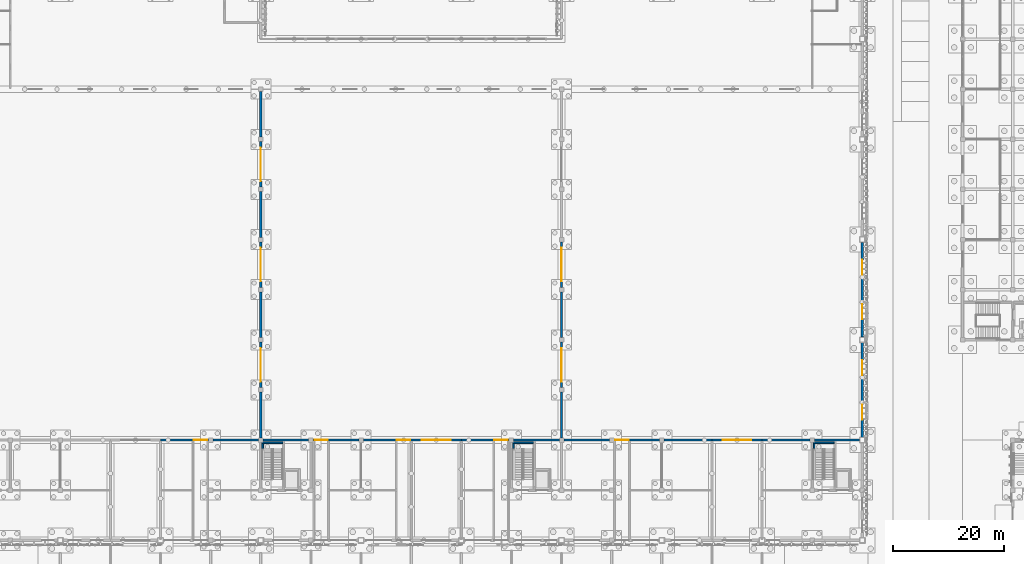
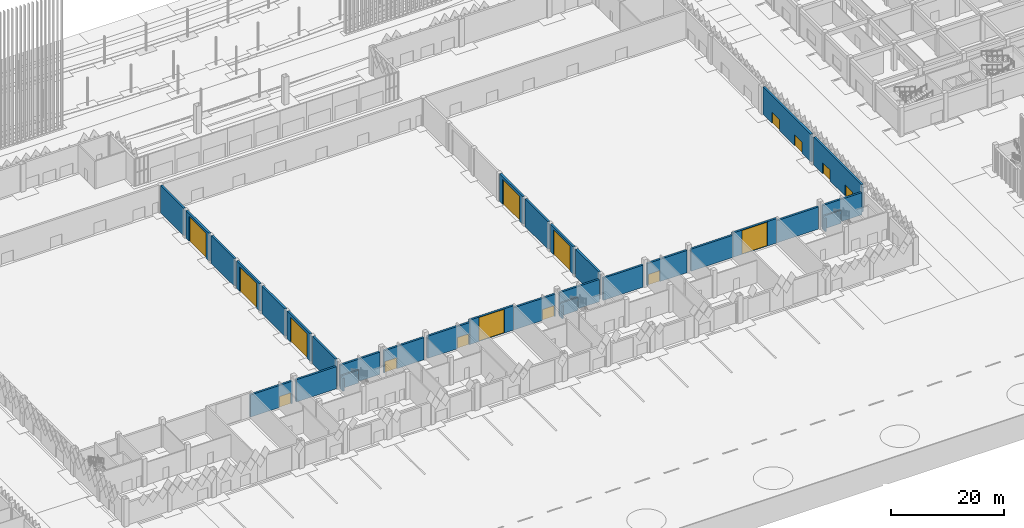
# One storey, part 89 of 198: 33 walls, 16 doors, 16 openings.
"""IFC4 building model written with IfcOpenShell, lengths in metres."""

from ifc_helpers import new_model, si_unit, direction, frame, frame_2d, origin, place, context, subcontext, project, spatial, rectangle, extrude, material, layer, layer_set, type_object, element, fill, save


model = new_model("IFC4")

# Units and contexts
model_context = context("Model", 3, precision=1e-05, world=origin(), true_north=direction((0.0, 1.0)))
body_context = subcontext(model_context, "Body", "Model", "MODEL_VIEW")
ifc_project = project(units=[si_unit("LENGTHUNIT", "METRE"), si_unit("AREAUNIT", "SQUARE_METRE"), si_unit("VOLUMEUNIT", "CUBIC_METRE"), si_unit("PLANEANGLEUNIT", "RADIAN"), si_unit("MASSUNIT", "GRAM", prefix="KILO")], contexts=[model_context])

# Site, building, storey
site_placement = place(None, origin())
site = spatial("IfcSite", under=ifc_project, at=site_placement, CompositionType="ELEMENT")
building_placement = place(site_placement, origin())
building = spatial("IfcBuilding", under=site, at=building_placement, Name="Opaline Strait Convention Centre", CompositionType="ELEMENT")
storey_placement = place(building_placement, origin())
storey = spatial("IfcBuildingStorey", under=building, at=storey_placement, Name="L00", CompositionType="ELEMENT", Elevation=0.0)

# Wall, openings, doors
ifc_material_1 = material(Name="Concrete C40", Category="concrete")
ifc_layer_1 = layer(ifc_material_1, 0.25)
ifc_material_2 = material(Name="Mineral wool insulation")
ifc_layer_2 = layer(ifc_material_2, 0.10009765625)
ifc_material_3 = material(Name="Gypsum board lining")
ifc_layer_3 = layer(ifc_material_3, 0.050048828125)
ifc_layer_set_1 = layer_set([ifc_layer_1, ifc_layer_2, ifc_layer_3], Name="Concrete C40, Mineral wool insulation, Gypsum board lining")
wall_type_1 = type_object("IfcWallType", Name="External wall RC 400 insulated", PredefinedType="SOLIDWALL", material=ifc_layer_set_1)
wall_1_placement = place(storey_placement, frame((261.0, 72.5, 0.0), z_axis=(0.0, 0.0, 1.0), x_axis=(0.0, 1.0, 0.0)))
wall_1 = element("IfcWall", 1, at=wall_1_placement, inside=storey, type_object=wall_type_1, Name="External wall E3", PredefinedType="SOLIDWALL", context=body_context, shape_type="SweptSolid", body=[
    extrude(rectangle(XDim=17.0, YDim=0.39990234375, at=frame_2d((8.5, 0.0))), origin(), (0.0, 0.0, 1.0), 6.0),
])
opening_1_placement = place(wall_1_placement, frame((3.14990234375, 0.0, 0.0)))
opening_1 = element("IfcOpeningElement", 2, at=opening_1_placement, cuts=wall_1, Name="Opening X0-042", PredefinedType="OPENING", context=body_context, shape_type="SweptSolid", body=[
    extrude(rectangle(XDim=2.699951171875, YDim=2.39990234375, at=frame_2d((1.35009765625, 1.199951171875))), frame((0.0, 0.2099609375, 0.0), z_axis=(0.0, -1.0, 0.0), x_axis=(1.0, 0.0, 0.0)), (0.0, 0.0, 1.0), 0.419921875),
])
opening_2_placement = place(wall_1_placement, frame((11.14990234375, 0.0, 0.0)))
opening_2 = element("IfcOpeningElement", 3, at=opening_2_placement, cuts=wall_1, Name="Opening X0-043", PredefinedType="OPENING", context=body_context, shape_type="SweptSolid", body=[
    extrude(rectangle(XDim=2.699951171875, YDim=2.39990234375, at=frame_2d((1.35009765625, 1.199951171875))), frame((0.0, 0.2099609375, 0.0), z_axis=(0.0, -1.0, 0.0), x_axis=(1.0, 0.0, 0.0)), (0.0, 0.0, 1.0), 0.419921875),
])
ifc_material_4 = material(Name="Steel Q235B", Category="steel")
door_type_1 = type_object("IfcDoorType", Name="Exit door pair 2700 x 2400", OperationType="DOUBLE_DOOR_SINGLE_SWING", PredefinedType="DOOR", material=ifc_material_4)
door_1_placement = place(opening_1_placement, frame((2.699951171875, 0.0, 0.0), z_axis=(0.0, 0.0, 1.0), x_axis=(-1.0, 0.0, 0.0)))
door_1 = element("IfcDoor", 4, at=door_1_placement, inside=storey, type_object=door_type_1, Name="Hall exit door E1", ObjectType="XD2", OperationType="DOUBLE_DOOR_SINGLE_SWING", OverallHeight=2.39990234375, OverallWidth=2.699951171875, PredefinedType="DOOR", context=body_context, shape_type="SweptSolid", body=[
    extrude(rectangle(XDim=2.699951171875, YDim=2.39990234375, at=frame_2d((1.35009765625, 1.199951171875))), frame((0.0, 0.02490234375, 0.0), z_axis=(0.0, -1.0, 0.0), x_axis=(1.0, 0.0, 0.0)), (0.0, 0.0, 1.0), 0.050048828125),
])
fill(opening_1, door_1)
door_2_placement = place(opening_2_placement, frame((2.699951171875, 0.0, 0.0), z_axis=(0.0, 0.0, 1.0), x_axis=(-1.0, 0.0, 0.0)))
door_2 = element("IfcDoor", 5, at=door_2_placement, inside=storey, type_object=door_type_1, Name="Hall exit door E2", ObjectType="XD2", OperationType="DOUBLE_DOOR_SINGLE_SWING", OverallHeight=2.39990234375, OverallWidth=2.699951171875, PredefinedType="DOOR", context=body_context, shape_type="SweptSolid", body=[
    extrude(rectangle(XDim=2.699951171875, YDim=2.39990234375, at=frame_2d((1.35009765625, 1.199951171875))), frame((0.0, 0.02490234375, 0.0), z_axis=(0.0, -1.0, 0.0), x_axis=(1.0, 0.0, 0.0)), (0.0, 0.0, 1.0), 0.050048828125),
])
fill(opening_2, door_2)

wall_2_placement = place(storey_placement, frame((261.0, 90.5, 0.0), z_axis=(0.0, 0.0, 1.0), x_axis=(0.0, 1.0, 0.0)))
wall_2 = element("IfcWall", 6, at=wall_2_placement, inside=storey, type_object=wall_type_1, Name="External wall E4", PredefinedType="SOLIDWALL", context=body_context, shape_type="SweptSolid", body=[
    extrude(rectangle(XDim=17.0, YDim=0.39990234375, at=frame_2d((8.5, 0.0))), origin(), (0.0, 0.0, 1.0), 6.0),
])
opening_3_placement = place(wall_2_placement, frame((3.14990234375, 0.0, 0.0)))
opening_3 = element("IfcOpeningElement", 7, at=opening_3_placement, cuts=wall_2, Name="Opening X0-044", PredefinedType="OPENING", context=body_context, shape_type="SweptSolid", body=[
    extrude(rectangle(XDim=2.699951171875, YDim=2.39990234375, at=frame_2d((1.35009765625, 1.199951171875))), frame((0.0, 0.2099609375, 0.0), z_axis=(0.0, -1.0, 0.0), x_axis=(1.0, 0.0, 0.0)), (0.0, 0.0, 1.0), 0.419921875),
])
opening_4_placement = place(wall_2_placement, frame((11.14990234375, 0.0, 0.0)))
opening_4 = element("IfcOpeningElement", 8, at=opening_4_placement, cuts=wall_2, Name="Opening X0-045", PredefinedType="OPENING", context=body_context, shape_type="SweptSolid", body=[
    extrude(rectangle(XDim=2.699951171875, YDim=2.39990234375, at=frame_2d((1.35009765625, 1.199951171875))), frame((0.0, 0.2099609375, 0.0), z_axis=(0.0, -1.0, 0.0), x_axis=(1.0, 0.0, 0.0)), (0.0, 0.0, 1.0), 0.419921875),
])
door_3_placement = place(opening_3_placement, frame((2.699951171875, 0.0, 0.0), z_axis=(0.0, 0.0, 1.0), x_axis=(-1.0, 0.0, 0.0)))
door_3 = element("IfcDoor", 9, at=door_3_placement, inside=storey, type_object=door_type_1, Name="Hall exit door E3", ObjectType="XD2", OperationType="DOUBLE_DOOR_SINGLE_SWING", OverallHeight=2.39990234375, OverallWidth=2.699951171875, PredefinedType="DOOR", context=body_context, shape_type="SweptSolid", body=[
    extrude(rectangle(XDim=2.699951171875, YDim=2.39990234375, at=frame_2d((1.35009765625, 1.199951171875))), frame((0.0, 0.02490234375, 0.0), z_axis=(0.0, -1.0, 0.0), x_axis=(1.0, 0.0, 0.0)), (0.0, 0.0, 1.0), 0.050048828125),
])
fill(opening_3, door_3)
door_4_placement = place(opening_4_placement, frame((2.699951171875, 0.0, 0.0), z_axis=(0.0, 0.0, 1.0), x_axis=(-1.0, 0.0, 0.0)))
door_4 = element("IfcDoor", 10, at=door_4_placement, inside=storey, type_object=door_type_1, Name="Hall exit door E4", ObjectType="XD2", OperationType="DOUBLE_DOOR_SINGLE_SWING", OverallHeight=2.39990234375, OverallWidth=2.699951171875, PredefinedType="DOOR", context=body_context, shape_type="SweptSolid", body=[
    extrude(rectangle(XDim=2.699951171875, YDim=2.39990234375, at=frame_2d((1.35009765625, 1.199951171875))), frame((0.0, 0.02490234375, 0.0), z_axis=(0.0, -1.0, 0.0), x_axis=(1.0, 0.0, 0.0)), (0.0, 0.0, 1.0), 0.050048828125),
])
fill(opening_4, door_4)

# Wall
ifc_layer_4 = layer(ifc_material_1, 0.39990234375)
ifc_layer_set_2 = layer_set([ifc_layer_4], Name="Concrete C40")
wall_type_2 = type_object("IfcWallType", Name="Fire wall RC 400 3 h", PredefinedType="SOLIDWALL", material=ifc_layer_set_2)
wall_3_placement = place(storey_placement, frame((153.0, 72.39990234375, 0.0), z_axis=(0.0, 0.0, 1.0), x_axis=(0.0, 1.0, 0.0)))
element("IfcWall", 11, at=wall_3_placement, inside=storey, type_object=wall_type_2, Name="Fire wall 153 panel 1", PredefinedType="SOLIDWALL", context=body_context, shape_type="SweptSolid", body=[
    extrude(rectangle(XDim=8.2001953125, YDim=0.39990234375, at=frame_2d((4.10009765625, 0.0))), origin(), (0.0, 0.0, 1.0), 6.0),
])

# Wall, opening, door
wall_4_placement = place(storey_placement, frame((153.0, 81.39990234375, 0.0), z_axis=(0.0, 0.0, 1.0), x_axis=(0.0, 1.0, 0.0)))
wall_4 = element("IfcWall", 12, at=wall_4_placement, inside=storey, type_object=wall_type_2, Name="Fire wall 153 panel 2", PredefinedType="SOLIDWALL", context=body_context, shape_type="SweptSolid", body=[
    extrude(rectangle(XDim=8.2001953125, YDim=0.39990234375, at=frame_2d((4.10009765625, 0.0))), origin(), (0.0, 0.0, 1.0), 6.0),
])
opening_5_placement = place(wall_4_placement, frame((1.10009765625, 0.0, 0.0)))
opening_5 = element("IfcOpeningElement", 13, at=opening_5_placement, cuts=wall_4, Name="Opening XFS1", PredefinedType="OPENING", context=body_context, shape_type="SweptSolid", body=[
    extrude(rectangle(XDim=6.0, YDim=5.39990234375, at=frame_2d((3.0, 2.699951171875))), frame((0.0, 0.2099609375, 0.0), z_axis=(0.0, -1.0, 0.0), x_axis=(1.0, 0.0, 0.0)), (0.0, 0.0, 1.0), 0.419921875),
])
ifc_material_5 = material(Name="Galvanised steel Q235B", Category="steel")
door_type_2 = type_object("IfcDoorType", Name="Fire shutter 6000 x 5400 EI 180", OperationType="ROLLINGUP", PredefinedType="DOOR", material=ifc_material_5)
door_5_placement = place(opening_5_placement, origin())
door_5 = element("IfcDoor", 14, at=door_5_placement, inside=storey, type_object=door_type_2, Name="Fire shutter 153 line 1", ObjectType="XFS", OperationType="ROLLINGUP", OverallHeight=5.39990234375, OverallWidth=6.0, PredefinedType="DOOR", context=body_context, shape_type="SweptSolid", body=[
    extrude(rectangle(XDim=6.0, YDim=5.39990234375, at=frame_2d((3.0, 2.699951171875))), frame((0.0, 0.02490234375, 0.0), z_axis=(0.0, -1.0, 0.0), x_axis=(1.0, 0.0, 0.0)), (0.0, 0.0, 1.0), 0.050048828125),
])
fill(opening_5, door_5)

# Wall
wall_5_placement = place(storey_placement, frame((153.0, 90.39990234375, 0.0), z_axis=(0.0, 0.0, 1.0), x_axis=(0.0, 1.0, 0.0)))
element("IfcWall", 15, at=wall_5_placement, inside=storey, type_object=wall_type_2, Name="Fire wall 153 panel 3", PredefinedType="SOLIDWALL", context=body_context, shape_type="SweptSolid", body=[
    extrude(rectangle(XDim=8.2001953125, YDim=0.39990234375, at=frame_2d((4.10009765625, 0.0))), origin(), (0.0, 0.0, 1.0), 6.0),
])

# Wall, opening, door
wall_6_placement = place(storey_placement, frame((153.0, 99.39990234375, 0.0), z_axis=(0.0, 0.0, 1.0), x_axis=(0.0, 1.0, 0.0)))
wall_6 = element("IfcWall", 16, at=wall_6_placement, inside=storey, type_object=wall_type_2, Name="Fire wall 153 panel 4", PredefinedType="SOLIDWALL", context=body_context, shape_type="SweptSolid", body=[
    extrude(rectangle(XDim=8.2001953125, YDim=0.39990234375, at=frame_2d((4.10009765625, 0.0))), origin(), (0.0, 0.0, 1.0), 6.0),
])
opening_6_placement = place(wall_6_placement, frame((1.10009765625, 0.0, 0.0)))
opening_6 = element("IfcOpeningElement", 17, at=opening_6_placement, cuts=wall_6, Name="Opening XFS2", PredefinedType="OPENING", context=body_context, shape_type="SweptSolid", body=[
    extrude(rectangle(XDim=6.0, YDim=5.39990234375, at=frame_2d((3.0, 2.699951171875))), frame((0.0, 0.2099609375, 0.0), z_axis=(0.0, -1.0, 0.0), x_axis=(1.0, 0.0, 0.0)), (0.0, 0.0, 1.0), 0.419921875),
])
door_6_placement = place(opening_6_placement, origin())
door_6 = element("IfcDoor", 18, at=door_6_placement, inside=storey, type_object=door_type_2, Name="Fire shutter 153 line 2", ObjectType="XFS", OperationType="ROLLINGUP", OverallHeight=5.39990234375, OverallWidth=6.0, PredefinedType="DOOR", context=body_context, shape_type="SweptSolid", body=[
    extrude(rectangle(XDim=6.0, YDim=5.39990234375, at=frame_2d((3.0, 2.699951171875))), frame((0.0, 0.02490234375, 0.0), z_axis=(0.0, -1.0, 0.0), x_axis=(1.0, 0.0, 0.0)), (0.0, 0.0, 1.0), 0.050048828125),
])
fill(opening_6, door_6)

# Wall
wall_7_placement = place(storey_placement, frame((153.0, 108.39990234375, 0.0), z_axis=(0.0, 0.0, 1.0), x_axis=(0.0, 1.0, 0.0)))
element("IfcWall", 19, at=wall_7_placement, inside=storey, type_object=wall_type_2, Name="Fire wall 153 panel 5", PredefinedType="SOLIDWALL", context=body_context, shape_type="SweptSolid", body=[
    extrude(rectangle(XDim=8.2001953125, YDim=0.39990234375, at=frame_2d((4.10009765625, 0.0))), origin(), (0.0, 0.0, 1.0), 6.0),
])

# Wall, opening, door
wall_8_placement = place(storey_placement, frame((153.0, 117.39990234375, 0.0), z_axis=(0.0, 0.0, 1.0), x_axis=(0.0, 1.0, 0.0)))
wall_8 = element("IfcWall", 20, at=wall_8_placement, inside=storey, type_object=wall_type_2, Name="Fire wall 153 panel 6", PredefinedType="SOLIDWALL", context=body_context, shape_type="SweptSolid", body=[
    extrude(rectangle(XDim=8.2001953125, YDim=0.39990234375, at=frame_2d((4.10009765625, 0.0))), origin(), (0.0, 0.0, 1.0), 6.0),
])
opening_7_placement = place(wall_8_placement, frame((1.10009765625, 0.0, 0.0)))
opening_7 = element("IfcOpeningElement", 21, at=opening_7_placement, cuts=wall_8, Name="Opening XFS3", PredefinedType="OPENING", context=body_context, shape_type="SweptSolid", body=[
    extrude(rectangle(XDim=6.0, YDim=5.39990234375, at=frame_2d((3.0, 2.699951171875))), frame((0.0, 0.2099609375, 0.0), z_axis=(0.0, -1.0, 0.0), x_axis=(1.0, 0.0, 0.0)), (0.0, 0.0, 1.0), 0.419921875),
])
door_7_placement = place(opening_7_placement, origin())
door_7 = element("IfcDoor", 22, at=door_7_placement, inside=storey, type_object=door_type_2, Name="Fire shutter 153 line 3", ObjectType="XFS", OperationType="ROLLINGUP", OverallHeight=5.39990234375, OverallWidth=6.0, PredefinedType="DOOR", context=body_context, shape_type="SweptSolid", body=[
    extrude(rectangle(XDim=6.0, YDim=5.39990234375, at=frame_2d((3.0, 2.699951171875))), frame((0.0, 0.02490234375, 0.0), z_axis=(0.0, -1.0, 0.0), x_axis=(1.0, 0.0, 0.0)), (0.0, 0.0, 1.0), 0.050048828125),
])
fill(opening_7, door_7)

# Walls
for number, where, z_axis, x_axis, name in (
    (23, (153.0, 126.39990234375, 0.0), (0.0, 0.0, 1.0), (0.0, 1.0, 0.0), "Fire wall 153 panel 7"),
    (24, (207.0, 72.39990234375, 0.0), (0.0, 0.0, 1.0), (0.0, 1.0, 0.0), "Fire wall 207 panel 1"),
):
    element("IfcWall", number, at=place(storey_placement, frame(where, z_axis=z_axis, x_axis=x_axis)), inside=storey, type_object=wall_type_2, Name=name, PredefinedType="SOLIDWALL", context=body_context, shape_type="SweptSolid", body=[
        extrude(rectangle(XDim=8.2001953125, YDim=0.39990234375, at=frame_2d((4.10009765625, 0.0))), origin(), (0.0, 0.0, 1.0), 6.0),
    ])

# Wall, opening, door
wall_9_placement = place(storey_placement, frame((207.0, 81.39990234375, 0.0), z_axis=(0.0, 0.0, 1.0), x_axis=(0.0, 1.0, 0.0)))
wall_9 = element("IfcWall", 25, at=wall_9_placement, inside=storey, type_object=wall_type_2, Name="Fire wall 207 panel 2", PredefinedType="SOLIDWALL", context=body_context, shape_type="SweptSolid", body=[
    extrude(rectangle(XDim=8.2001953125, YDim=0.39990234375, at=frame_2d((4.10009765625, 0.0))), origin(), (0.0, 0.0, 1.0), 6.0),
])
opening_8_placement = place(wall_9_placement, frame((1.10009765625, 0.0, 0.0)))
opening_8 = element("IfcOpeningElement", 26, at=opening_8_placement, cuts=wall_9, Name="Opening XFS4", PredefinedType="OPENING", context=body_context, shape_type="SweptSolid", body=[
    extrude(rectangle(XDim=6.0, YDim=5.39990234375, at=frame_2d((3.0, 2.699951171875))), frame((0.0, 0.2099609375, 0.0), z_axis=(0.0, -1.0, 0.0), x_axis=(1.0, 0.0, 0.0)), (0.0, 0.0, 1.0), 0.419921875),
])
door_8_placement = place(opening_8_placement, origin())
door_8 = element("IfcDoor", 27, at=door_8_placement, inside=storey, type_object=door_type_2, Name="Fire shutter 207 line 1", ObjectType="XFS", OperationType="ROLLINGUP", OverallHeight=5.39990234375, OverallWidth=6.0, PredefinedType="DOOR", context=body_context, shape_type="SweptSolid", body=[
    extrude(rectangle(XDim=6.0, YDim=5.39990234375, at=frame_2d((3.0, 2.699951171875))), frame((0.0, 0.02490234375, 0.0), z_axis=(0.0, -1.0, 0.0), x_axis=(1.0, 0.0, 0.0)), (0.0, 0.0, 1.0), 0.050048828125),
])
fill(opening_8, door_8)

# Wall
wall_10_placement = place(storey_placement, frame((207.0, 90.39990234375, 0.0), z_axis=(0.0, 0.0, 1.0), x_axis=(0.0, 1.0, 0.0)))
element("IfcWall", 28, at=wall_10_placement, inside=storey, type_object=wall_type_2, Name="Fire wall 207 panel 3", PredefinedType="SOLIDWALL", context=body_context, shape_type="SweptSolid", body=[
    extrude(rectangle(XDim=8.2001953125, YDim=0.39990234375, at=frame_2d((4.10009765625, 0.0))), origin(), (0.0, 0.0, 1.0), 6.0),
])

# Wall, opening, door
wall_11_placement = place(storey_placement, frame((207.0, 99.39990234375, 0.0), z_axis=(0.0, 0.0, 1.0), x_axis=(0.0, 1.0, 0.0)))
wall_11 = element("IfcWall", 29, at=wall_11_placement, inside=storey, type_object=wall_type_2, Name="Fire wall 207 panel 4", PredefinedType="SOLIDWALL", context=body_context, shape_type="SweptSolid", body=[
    extrude(rectangle(XDim=8.2001953125, YDim=0.39990234375, at=frame_2d((4.10009765625, 0.0))), origin(), (0.0, 0.0, 1.0), 6.0),
])
opening_9_placement = place(wall_11_placement, frame((1.10009765625, 0.0, 0.0)))
opening_9 = element("IfcOpeningElement", 30, at=opening_9_placement, cuts=wall_11, Name="Opening XFS5", PredefinedType="OPENING", context=body_context, shape_type="SweptSolid", body=[
    extrude(rectangle(XDim=6.0, YDim=5.39990234375, at=frame_2d((3.0, 2.699951171875))), frame((0.0, 0.2099609375, 0.0), z_axis=(0.0, -1.0, 0.0), x_axis=(1.0, 0.0, 0.0)), (0.0, 0.0, 1.0), 0.419921875),
])
door_9_placement = place(opening_9_placement, origin())
door_9 = element("IfcDoor", 31, at=door_9_placement, inside=storey, type_object=door_type_2, Name="Fire shutter 207 line 2", ObjectType="XFS", OperationType="ROLLINGUP", OverallHeight=5.39990234375, OverallWidth=6.0, PredefinedType="DOOR", context=body_context, shape_type="SweptSolid", body=[
    extrude(rectangle(XDim=6.0, YDim=5.39990234375, at=frame_2d((3.0, 2.699951171875))), frame((0.0, 0.02490234375, 0.0), z_axis=(0.0, -1.0, 0.0), x_axis=(1.0, 0.0, 0.0)), (0.0, 0.0, 1.0), 0.050048828125),
])
fill(opening_9, door_9)

ifc_layer_5 = layer(ifc_material_1, 0.300048828125)
ifc_material_6 = material(Name="Cement plaster")
ifc_layer_6 = layer(ifc_material_6, 0.050048828125)
ifc_layer_7 = layer(ifc_material_6, 0.050048828125)
ifc_layer_set_3 = layer_set([ifc_layer_5, ifc_layer_6, ifc_layer_7], Name="Concrete C40, Cement plaster, Cement plaster")
wall_type_3 = type_object("IfcWallType", Name="Hall compartment wall 400", PredefinedType="SOLIDWALL", material=ifc_layer_set_3)
wall_12_placement = place(storey_placement, frame((135.0, 72.0, 0.0), z_axis=(0.0, 0.0, 1.0), x_axis=(1.0, 0.0, 0.0)))
wall_12 = element("IfcWall", 32, at=wall_12_placement, inside=storey, type_object=wall_type_3, Name="Hall south wall", PredefinedType="SOLIDWALL", context=body_context, shape_type="SweptSolid", body=[
    extrude(rectangle(XDim=8.60009765625, YDim=0.39990234375, at=frame_2d((4.300048828125, 0.0))), origin(), (0.0, 0.0, 1.0), 4.820068359375),
])
opening_10_placement = place(wall_12_placement, frame((5.949951171875, 0.0, 0.0)))
opening_10 = element("IfcOpeningElement", 33, at=opening_10_placement, cuts=wall_12, Name="Opening X0-082", PredefinedType="OPENING", context=body_context, shape_type="SweptSolid", body=[
    extrude(rectangle(XDim=2.39990234375, YDim=2.39990234375, at=frame_2d((1.199951171875, 1.199951171875))), frame((0.0, 0.2099609375, 0.0), z_axis=(0.0, -1.0, 0.0), x_axis=(1.0, 0.0, 0.0)), (0.0, 0.0, 1.0), 0.419921875),
])
door_type_3 = type_object("IfcDoorType", Name="Fire door pair FD90 2400 x 2400", OperationType="DOUBLE_DOOR_SINGLE_SWING", PredefinedType="DOOR", material=ifc_material_4)
door_10_placement = place(opening_10_placement, frame((2.39990234375, 0.0, 0.0), z_axis=(0.0, 0.0, 1.0), x_axis=(-1.0, 0.0, 0.0)))
door_10 = element("IfcDoor", 34, at=door_10_placement, inside=storey, type_object=door_type_3, Name="Hall exit passage door 1", ObjectType="XD3", OperationType="DOUBLE_DOOR_SINGLE_SWING", OverallHeight=2.39990234375, OverallWidth=2.39990234375, PredefinedType="DOOR", context=body_context, shape_type="SweptSolid", body=[
    extrude(rectangle(XDim=2.39990234375, YDim=2.39990234375, at=frame_2d((1.199951171875, 1.199951171875))), frame((0.0, 0.02490234375, 0.0), z_axis=(0.0, -1.0, 0.0), x_axis=(1.0, 0.0, 0.0)), (0.0, 0.0, 1.0), 0.050048828125),
])
fill(opening_10, door_10)

# Walls
for number, where, z_axis, x_axis, name in (
    (35, (144.39990234375, 72.0, 0.0), (0.0, 0.0, 1.0), (1.0, 0.0, 0.0), "Hall south wall"),
    (36, (153.39990234375, 72.0, 0.0), (0.0, 0.0, 1.0), (1.0, 0.0, 0.0), "Hall south wall"),
):
    element("IfcWall", number, at=place(storey_placement, frame(where, z_axis=z_axis, x_axis=x_axis)), inside=storey, type_object=wall_type_3, Name=name, PredefinedType="SOLIDWALL", context=body_context, shape_type="SweptSolid", body=[
        extrude(rectangle(XDim=8.2001953125, YDim=0.39990234375, at=frame_2d((4.10009765625, 0.0))), origin(), (0.0, 0.0, 1.0), 4.820068359375),
    ])

# Wall, opening, door
wall_13_placement = place(storey_placement, frame((162.39990234375, 72.0, 0.0), z_axis=(0.0, 0.0, 1.0), x_axis=(1.0, 0.0, 0.0)))
wall_13 = element("IfcWall", 37, at=wall_13_placement, inside=storey, type_object=wall_type_3, Name="Hall south wall", PredefinedType="SOLIDWALL", context=body_context, shape_type="SweptSolid", body=[
    extrude(rectangle(XDim=8.2001953125, YDim=0.39990234375, at=frame_2d((4.10009765625, 0.0))), origin(), (0.0, 0.0, 1.0), 4.820068359375),
])
opening_11_placement = place(wall_13_placement, frame((0.25, 0.0, 0.0)))
opening_11 = element("IfcOpeningElement", 38, at=opening_11_placement, cuts=wall_13, Name="Opening X0-083", PredefinedType="OPENING", context=body_context, shape_type="SweptSolid", body=[
    extrude(rectangle(XDim=2.39990234375, YDim=2.39990234375, at=frame_2d((1.199951171875, 1.199951171875))), frame((0.0, 0.2099609375, 0.0), z_axis=(0.0, -1.0, 0.0), x_axis=(1.0, 0.0, 0.0)), (0.0, 0.0, 1.0), 0.419921875),
])
door_11_placement = place(opening_11_placement, frame((2.39990234375, 0.0, 0.0), z_axis=(0.0, 0.0, 1.0), x_axis=(-1.0, 0.0, 0.0)))
door_11 = element("IfcDoor", 39, at=door_11_placement, inside=storey, type_object=door_type_3, Name="Hall exit passage door 2", ObjectType="XD3", OperationType="DOUBLE_DOOR_SINGLE_SWING", OverallHeight=2.39990234375, OverallWidth=2.39990234375, PredefinedType="DOOR", context=body_context, shape_type="SweptSolid", body=[
    extrude(rectangle(XDim=2.39990234375, YDim=2.39990234375, at=frame_2d((1.199951171875, 1.199951171875))), frame((0.0, 0.02490234375, 0.0), z_axis=(0.0, -1.0, 0.0), x_axis=(1.0, 0.0, 0.0)), (0.0, 0.0, 1.0), 0.050048828125),
])
fill(opening_11, door_11)

wall_14_placement = place(storey_placement, frame((171.39990234375, 72.0, 0.0), z_axis=(0.0, 0.0, 1.0), x_axis=(1.0, 0.0, 0.0)))
wall_14 = element("IfcWall", 40, at=wall_14_placement, inside=storey, type_object=wall_type_3, Name="Hall south wall", PredefinedType="SOLIDWALL", context=body_context, shape_type="SweptSolid", body=[
    extrude(rectangle(XDim=8.60009765625, YDim=0.39990234375, at=frame_2d((4.300048828125, 0.0))), origin(), (0.0, 0.0, 1.0), 4.820068359375),
])
opening_12_placement = place(wall_14_placement, frame((6.050048828125, 0.0, 0.0)))
opening_12 = element("IfcOpeningElement", 41, at=opening_12_placement, cuts=wall_14, Name="Opening X0-084", PredefinedType="OPENING", context=body_context, shape_type="SweptSolid", body=[
    extrude(rectangle(XDim=2.39990234375, YDim=2.39990234375, at=frame_2d((1.199951171875, 1.199951171875))), frame((0.0, 0.2099609375, 0.0), z_axis=(0.0, -1.0, 0.0), x_axis=(1.0, 0.0, 0.0)), (0.0, 0.0, 1.0), 0.419921875),
])
door_12_placement = place(opening_12_placement, frame((2.39990234375, 0.0, 0.0), z_axis=(0.0, 0.0, 1.0), x_axis=(-1.0, 0.0, 0.0)))
door_12 = element("IfcDoor", 42, at=door_12_placement, inside=storey, type_object=door_type_3, Name="Hall exit passage door 3", ObjectType="XD3", OperationType="DOUBLE_DOOR_SINGLE_SWING", OverallHeight=2.39990234375, OverallWidth=2.39990234375, PredefinedType="DOOR", context=body_context, shape_type="SweptSolid", body=[
    extrude(rectangle(XDim=2.39990234375, YDim=2.39990234375, at=frame_2d((1.199951171875, 1.199951171875))), frame((0.0, 0.02490234375, 0.0), z_axis=(0.0, -1.0, 0.0), x_axis=(1.0, 0.0, 0.0)), (0.0, 0.0, 1.0), 0.050048828125),
])
fill(opening_12, door_12)

wall_15_placement = place(storey_placement, frame((180.0, 72.0, 0.0), z_axis=(0.0, 0.0, 1.0), x_axis=(1.0, 0.0, 0.0)))
wall_15 = element("IfcWall", 43, at=wall_15_placement, inside=storey, type_object=wall_type_3, Name="Hall south wall", PredefinedType="SOLIDWALL", context=body_context, shape_type="SweptSolid", body=[
    extrude(rectangle(XDim=9.0, YDim=0.39990234375, at=frame_2d((4.5, 0.0))), origin(), (0.0, 0.0, 1.0), 5.300048828125),
])
opening_13_placement = place(wall_15_placement, frame((1.89990234375, 0.0, 0.0)))
opening_13 = element("IfcOpeningElement", 44, at=opening_13_placement, cuts=wall_15, Name="Opening X0-088", PredefinedType="OPENING", context=body_context, shape_type="SweptSolid", body=[
    extrude(rectangle(XDim=5.199951171875, YDim=5.199951171875, at=frame_2d((2.60009765625, 2.60009765625))), frame((0.0, 0.2099609375, 0.0), z_axis=(0.0, -1.0, 0.0), x_axis=(1.0, 0.0, 0.0)), (0.0, 0.0, 1.0), 0.419921875),
])
door_type_4 = type_object("IfcDoorType", Name="Freight door FD90 5200 x 5200", OperationType="ROLLINGUP", PredefinedType="DOOR", material=ifc_material_5)
door_13_placement = place(opening_13_placement, origin())
door_13 = element("IfcDoor", 45, at=door_13_placement, inside=storey, type_object=door_type_4, Name="Freight door tunnel 2 hall end", ObjectType="XFD1", OperationType="ROLLINGUP", OverallHeight=5.199951171875, OverallWidth=5.199951171875, PredefinedType="DOOR", context=body_context, shape_type="SweptSolid", body=[
    extrude(rectangle(XDim=5.199951171875, YDim=5.199951171875, at=frame_2d((2.60009765625, 2.60009765625))), frame((0.0, 0.02490234375, 0.0), z_axis=(0.0, -1.0, 0.0), x_axis=(1.0, 0.0, 0.0)), (0.0, 0.0, 1.0), 0.050048828125),
])
fill(opening_13, door_13)

wall_16_placement = place(storey_placement, frame((189.0, 72.0, 0.0), z_axis=(0.0, 0.0, 1.0), x_axis=(1.0, 0.0, 0.0)))
wall_16 = element("IfcWall", 46, at=wall_16_placement, inside=storey, type_object=wall_type_3, Name="Hall south wall", PredefinedType="SOLIDWALL", context=body_context, shape_type="SweptSolid", body=[
    extrude(rectangle(XDim=8.60009765625, YDim=0.39990234375, at=frame_2d((4.300048828125, 0.0))), origin(), (0.0, 0.0, 1.0), 4.820068359375),
])
opening_14_placement = place(wall_16_placement, frame((5.949951171875, 0.0, 0.0)))
opening_14 = element("IfcOpeningElement", 47, at=opening_14_placement, cuts=wall_16, Name="Opening X0-085", PredefinedType="OPENING", context=body_context, shape_type="SweptSolid", body=[
    extrude(rectangle(XDim=2.39990234375, YDim=2.39990234375, at=frame_2d((1.199951171875, 1.199951171875))), frame((0.0, 0.2099609375, 0.0), z_axis=(0.0, -1.0, 0.0), x_axis=(1.0, 0.0, 0.0)), (0.0, 0.0, 1.0), 0.419921875),
])
door_14_placement = place(opening_14_placement, frame((2.39990234375, 0.0, 0.0), z_axis=(0.0, 0.0, 1.0), x_axis=(-1.0, 0.0, 0.0)))
door_14 = element("IfcDoor", 48, at=door_14_placement, inside=storey, type_object=door_type_3, Name="Hall exit passage door 4", ObjectType="XD3", OperationType="DOUBLE_DOOR_SINGLE_SWING", OverallHeight=2.39990234375, OverallWidth=2.39990234375, PredefinedType="DOOR", context=body_context, shape_type="SweptSolid", body=[
    extrude(rectangle(XDim=2.39990234375, YDim=2.39990234375, at=frame_2d((1.199951171875, 1.199951171875))), frame((0.0, 0.02490234375, 0.0), z_axis=(0.0, -1.0, 0.0), x_axis=(1.0, 0.0, 0.0)), (0.0, 0.0, 1.0), 0.050048828125),
])
fill(opening_14, door_14)

# Walls
for number, where, z_axis, x_axis, name in (
    (49, (198.39990234375, 72.0, 0.0), (0.0, 0.0, 1.0), (1.0, 0.0, 0.0), "Hall south wall"),
    (50, (207.39990234375, 72.0, 0.0), (0.0, 0.0, 1.0), (1.0, 0.0, 0.0), "Hall south wall"),
):
    element("IfcWall", number, at=place(storey_placement, frame(where, z_axis=z_axis, x_axis=x_axis)), inside=storey, type_object=wall_type_3, Name=name, PredefinedType="SOLIDWALL", context=body_context, shape_type="SweptSolid", body=[
        extrude(rectangle(XDim=8.2001953125, YDim=0.39990234375, at=frame_2d((4.10009765625, 0.0))), origin(), (0.0, 0.0, 1.0), 4.820068359375),
    ])

# Wall, opening, door
wall_17_placement = place(storey_placement, frame((216.39990234375, 72.0, 0.0), z_axis=(0.0, 0.0, 1.0), x_axis=(1.0, 0.0, 0.0)))
wall_17 = element("IfcWall", 51, at=wall_17_placement, inside=storey, type_object=wall_type_3, Name="Hall south wall", PredefinedType="SOLIDWALL", context=body_context, shape_type="SweptSolid", body=[
    extrude(rectangle(XDim=8.2001953125, YDim=0.39990234375, at=frame_2d((4.10009765625, 0.0))), origin(), (0.0, 0.0, 1.0), 4.820068359375),
])
opening_15_placement = place(wall_17_placement, frame((0.25, 0.0, 0.0)))
opening_15 = element("IfcOpeningElement", 52, at=opening_15_placement, cuts=wall_17, Name="Opening X0-086", PredefinedType="OPENING", context=body_context, shape_type="SweptSolid", body=[
    extrude(rectangle(XDim=2.39990234375, YDim=2.39990234375, at=frame_2d((1.199951171875, 1.199951171875))), frame((0.0, 0.2099609375, 0.0), z_axis=(0.0, -1.0, 0.0), x_axis=(1.0, 0.0, 0.0)), (0.0, 0.0, 1.0), 0.419921875),
])
door_15_placement = place(opening_15_placement, frame((2.39990234375, 0.0, 0.0), z_axis=(0.0, 0.0, 1.0), x_axis=(-1.0, 0.0, 0.0)))
door_15 = element("IfcDoor", 53, at=door_15_placement, inside=storey, type_object=door_type_3, Name="Hall exit passage door 5", ObjectType="XD3", OperationType="DOUBLE_DOOR_SINGLE_SWING", OverallHeight=2.39990234375, OverallWidth=2.39990234375, PredefinedType="DOOR", context=body_context, shape_type="SweptSolid", body=[
    extrude(rectangle(XDim=2.39990234375, YDim=2.39990234375, at=frame_2d((1.199951171875, 1.199951171875))), frame((0.0, 0.02490234375, 0.0), z_axis=(0.0, -1.0, 0.0), x_axis=(1.0, 0.0, 0.0)), (0.0, 0.0, 1.0), 0.050048828125),
])
fill(opening_15, door_15)

# Wall
wall_18_placement = place(storey_placement, frame((225.39990234375, 72.0, 0.0), z_axis=(0.0, 0.0, 1.0), x_axis=(1.0, 0.0, 0.0)))
element("IfcWall", 54, at=wall_18_placement, inside=storey, type_object=wall_type_3, Name="Hall south wall", PredefinedType="SOLIDWALL", context=body_context, shape_type="SweptSolid", body=[
    extrude(rectangle(XDim=8.60009765625, YDim=0.39990234375, at=frame_2d((4.300048828125, 0.0))), origin(), (0.0, 0.0, 1.0), 4.820068359375),
])

# Wall, opening, door
wall_19_placement = place(storey_placement, frame((234.0, 72.0, 0.0), z_axis=(0.0, 0.0, 1.0), x_axis=(1.0, 0.0, 0.0)))
wall_19 = element("IfcWall", 55, at=wall_19_placement, inside=storey, type_object=wall_type_3, Name="Hall south wall", PredefinedType="SOLIDWALL", context=body_context, shape_type="SweptSolid", body=[
    extrude(rectangle(XDim=9.0, YDim=0.39990234375, at=frame_2d((4.5, 0.0))), origin(), (0.0, 0.0, 1.0), 5.300048828125),
])
opening_16_placement = place(wall_19_placement, frame((1.89990234375, 0.0, 0.0)))
opening_16 = element("IfcOpeningElement", 56, at=opening_16_placement, cuts=wall_19, Name="Opening X0-089", PredefinedType="OPENING", context=body_context, shape_type="SweptSolid", body=[
    extrude(rectangle(XDim=5.199951171875, YDim=5.199951171875, at=frame_2d((2.60009765625, 2.60009765625))), frame((0.0, 0.2099609375, 0.0), z_axis=(0.0, -1.0, 0.0), x_axis=(1.0, 0.0, 0.0)), (0.0, 0.0, 1.0), 0.419921875),
])
door_16_placement = place(opening_16_placement, origin())
door_16 = element("IfcDoor", 57, at=door_16_placement, inside=storey, type_object=door_type_4, Name="Freight door tunnel 3 hall end", ObjectType="XFD1", OperationType="ROLLINGUP", OverallHeight=5.199951171875, OverallWidth=5.199951171875, PredefinedType="DOOR", context=body_context, shape_type="SweptSolid", body=[
    extrude(rectangle(XDim=5.199951171875, YDim=5.199951171875, at=frame_2d((2.60009765625, 2.60009765625))), frame((0.0, 0.02490234375, 0.0), z_axis=(0.0, -1.0, 0.0), x_axis=(1.0, 0.0, 0.0)), (0.0, 0.0, 1.0), 0.050048828125),
])
fill(opening_16, door_16)

# Walls
wall_20_placement = place(storey_placement, frame((243.0, 72.0, 0.0), z_axis=(0.0, 0.0, 1.0), x_axis=(1.0, 0.0, 0.0)))
element("IfcWall", 58, at=wall_20_placement, inside=storey, type_object=wall_type_3, Name="Hall south wall", PredefinedType="SOLIDWALL", context=body_context, shape_type="SweptSolid", body=[
    extrude(rectangle(XDim=8.60009765625, YDim=0.39990234375, at=frame_2d((4.300048828125, 0.0))), origin(), (0.0, 0.0, 1.0), 4.820068359375),
])
wall_21_placement = place(storey_placement, frame((252.39990234375, 72.0, 0.0), z_axis=(0.0, 0.0, 1.0), x_axis=(1.0, 0.0, 0.0)))
element("IfcWall", 59, at=wall_21_placement, inside=storey, type_object=wall_type_3, Name="Hall south wall", PredefinedType="SOLIDWALL", context=body_context, shape_type="SweptSolid", body=[
    extrude(rectangle(XDim=8.10009765625, YDim=0.39990234375, at=frame_2d((4.050048828125, 0.0))), origin(), (0.0, 0.0, 1.0), 4.820068359375),
])
ifc_layer_8 = layer(ifc_material_1, 0.300048828125)
ifc_layer_set_4 = layer_set([ifc_layer_8], Name="Concrete C40")
wall_type_4 = type_object("IfcWallType", Name="Lift shaft wall RC 300 C40", PredefinedType="SHEAR", material=ifc_layer_set_4)
wall_22_placement = place(storey_placement, frame((153.199951171875, 71.5, 0.0), z_axis=(0.0, 0.0, 1.0), x_axis=(1.0, 0.0, 0.0)))
element("IfcWall", 60, at=wall_22_placement, inside=storey, type_object=wall_type_4, Name="EXB-LS-2-LB1-L00", PredefinedType="SHEAR", context=body_context, shape_type="SweptSolid", body=[
    extrude(rectangle(XDim=3.75, YDim=0.300048828125, at=frame_2d((1.875, 0.0))), origin(), (0.0, 0.0, 1.0), 2.800048828125),
])
wall_23_placement = place(storey_placement, frame((153.35009765625, 70.499267578125, 0.0), z_axis=(0.0, 0.0, 1.0), x_axis=(0.0, 1.0, 0.0)))
element("IfcWall", 61, at=wall_23_placement, inside=storey, type_object=wall_type_4, Name="EXB-LS-2-LB2-L00", PredefinedType="SHEAR", context=body_context, shape_type="SweptSolid", body=[
    extrude(rectangle(XDim=0.850830078125, YDim=0.300048828125, at=frame_2d((0.42529296875, 0.0))), origin(), (0.0, 0.0, 1.0), 2.800048828125),
])
wall_24_placement = place(storey_placement, frame((198.199951171875, 71.5, 0.0), z_axis=(0.0, 0.0, 1.0), x_axis=(1.0, 0.0, 0.0)))
element("IfcWall", 62, at=wall_24_placement, inside=storey, type_object=wall_type_4, Name="EXB-LS-3-LB1-L00", PredefinedType="SHEAR", context=body_context, shape_type="SweptSolid", body=[
    extrude(rectangle(XDim=3.75, YDim=0.300048828125, at=frame_2d((1.875, 0.0))), origin(), (0.0, 0.0, 1.0), 2.800048828125),
])
wall_25_placement = place(storey_placement, frame((198.35009765625, 70.499267578125, 0.0), z_axis=(0.0, 0.0, 1.0), x_axis=(0.0, 1.0, 0.0)))
element("IfcWall", 63, at=wall_25_placement, inside=storey, type_object=wall_type_4, Name="EXB-LS-3-LB2-L00", PredefinedType="SHEAR", context=body_context, shape_type="SweptSolid", body=[
    extrude(rectangle(XDim=0.850830078125, YDim=0.300048828125, at=frame_2d((0.42529296875, 0.0))), origin(), (0.0, 0.0, 1.0), 2.800048828125),
])
wall_26_placement = place(storey_placement, frame((252.199951171875, 71.5, 0.0), z_axis=(0.0, 0.0, 1.0), x_axis=(1.0, 0.0, 0.0)))
element("IfcWall", 64, at=wall_26_placement, inside=storey, type_object=wall_type_4, Name="EXB-LS-4-LB1-L00", PredefinedType="SHEAR", context=body_context, shape_type="SweptSolid", body=[
    extrude(rectangle(XDim=3.75, YDim=0.300048828125, at=frame_2d((1.875, 0.0))), origin(), (0.0, 0.0, 1.0), 2.800048828125),
])
wall_27_placement = place(storey_placement, frame((252.35009765625, 70.499267578125, 0.0), z_axis=(0.0, 0.0, 1.0), x_axis=(0.0, 1.0, 0.0)))
element("IfcWall", 65, at=wall_27_placement, inside=storey, type_object=wall_type_4, Name="EXB-LS-4-LB2-L00", PredefinedType="SHEAR", context=body_context, shape_type="SweptSolid", body=[
    extrude(rectangle(XDim=0.850830078125, YDim=0.300048828125, at=frame_2d((0.42529296875, 0.0))), origin(), (0.0, 0.0, 1.0), 2.800048828125),
])

save(model, "model.ifc")
